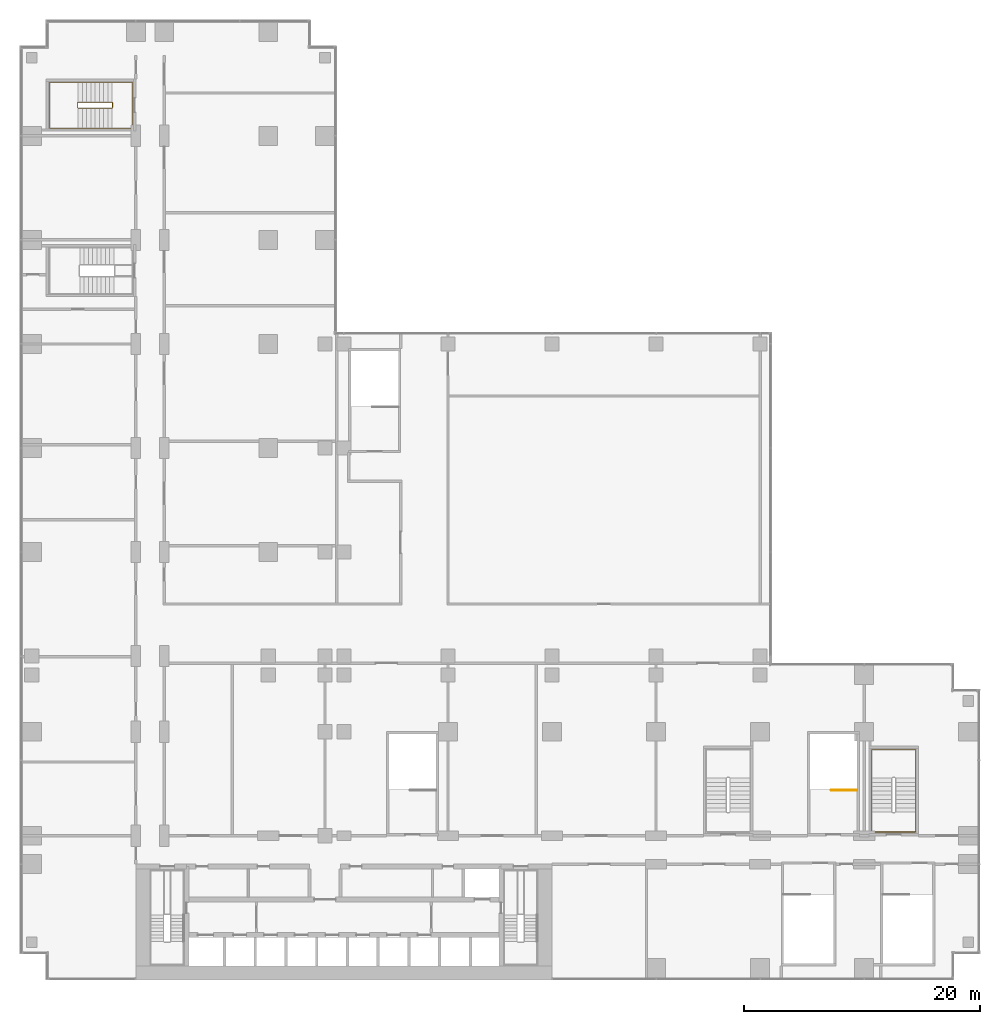
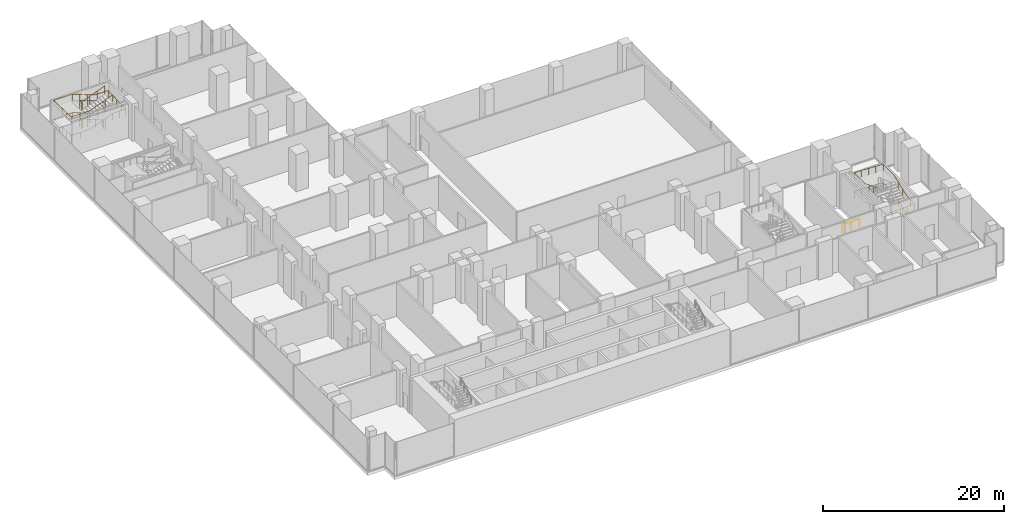
# One storey, part 27 of 27: 4 railings.
"""IFC4 building model written with IfcOpenShell, lengths in metres."""

import ifcopenshell
import ifcopenshell.guid

model = None  # the IFC model being written
_history = None  # IfcOwnerHistory: only IFC2X3 demands one
_inside = {}  # id of a spatial element -> (the spatial element, [elements in it])
_under = {}  # id of a project, library or spatial element -> (it, [spatial elements below it])
_declared = {}  # id of a project -> (the project, [libraries it declares])
_typed = {}  # id of a type object -> (the type object, [elements of that type])
_made_of = {}  # id of a material, layer set ... -> (it, [elements and type objects made of it])


def new_model(schema):
    """Start an empty IFC model of exactly this schema.

    Asked for "IFC4X3", IfcOpenShell would pick the latest addendum, in which some entities
    have other attributes; the version numbers below select the first issue.
    IFC2X3 requires an IfcOwnerHistory on every rooted entity: one is made here for all.
    """
    global model, _history
    if schema == "IFC4X3":
        model = ifcopenshell.file(schema_version=(4, 3, 0, 0))
    else:
        model = ifcopenshell.file(schema=schema)
    _inside.clear()
    _under.clear()
    _declared.clear()
    _typed.clear()
    _made_of.clear()
    _history = None
    if model.schema == "IFC2X3":
        org = make("IfcOrganization", Name="unknown")
        user = make(
            "IfcPersonAndOrganization",
            ThePerson=make("IfcPerson", FamilyName="unknown"),
            TheOrganization=org,
        )
        app = make(
            "IfcApplication",
            ApplicationDeveloper=org,
            Version="unknown",
            ApplicationFullName="unknown",
            ApplicationIdentifier="unknown",
        )
        _history = make(
            "IfcOwnerHistory",
            OwningUser=user,
            OwningApplication=app,
            ChangeAction="ADDED",
            CreationDate=0,
        )
    return model


def make(cls, **values):
    """One entity of the class cls with the attributes given. An attribute that is None is left unset."""
    return model.create_entity(
        cls, **{name: value for name, value in values.items() if value is not None}
    )


def rooted(cls, **values):
    """An entity with a GlobalId (a new one), such as an element, a storey or a relation."""
    return make(cls, GlobalId=ifcopenshell.guid.new(), OwnerHistory=_history, **values)


def si_unit(unit_type, name, prefix=None):
    """IfcSIUnit, for example si_unit("LENGTHUNIT", "METRE", prefix="MILLI")."""
    return make("IfcSIUnit", UnitType=unit_type, Prefix=prefix, Name=name)


def assignment(units):
    """IfcUnitAssignment: the units of a project."""
    return None if units is None else make("IfcUnitAssignment", Units=units)


def point(xyz):
    """IfcCartesianPoint."""
    return None if xyz is None else make("IfcCartesianPoint", Coordinates=xyz)


def direction(xyz):
    """IfcDirection."""
    return None if xyz is None else make("IfcDirection", DirectionRatios=xyz)


def frame(location, z_axis=None, x_axis=None):
    """IfcAxis2Placement3D, a coordinate frame: its origin and axes. An axis left out is left unset."""
    return make(
        "IfcAxis2Placement3D",
        Location=point(location),
        Axis=direction(z_axis),
        RefDirection=direction(x_axis),
    )


def frame_2d(location, x_axis=None):
    """IfcAxis2Placement2D, a coordinate frame in the plane: its origin and x axis."""
    return make(
        "IfcAxis2Placement2D", Location=point(location), RefDirection=direction(x_axis)
    )


def origin():
    """The frame at (0, 0, 0) with its axes left unset."""
    return frame((0.0, 0.0, 0.0))


def origin_2d():
    """The frame at (0, 0) in the plane with its x axis left unset."""
    return frame_2d((0.0, 0.0))


def place(relative_to, where):
    """IfcLocalPlacement: puts the frame where relative to a parent placement (None: the world)."""
    return make(
        "IfcLocalPlacement", PlacementRelTo=relative_to, RelativePlacement=where
    )


def context(
    kind, dimensions, precision=None, world=None, true_north=None, identifier=None
):
    """IfcGeometricRepresentationContext, for example the 3D "Model" context."""
    return make(
        "IfcGeometricRepresentationContext",
        ContextIdentifier=identifier,
        ContextType=kind,
        CoordinateSpaceDimension=dimensions,
        Precision=precision,
        WorldCoordinateSystem=world,
        TrueNorth=true_north,
    )


def subcontext(parent, identifier, kind, view, scale=None):
    """IfcGeometricRepresentationSubContext, for example "Body" below "Model"."""
    return make(
        "IfcGeometricRepresentationSubContext",
        ContextIdentifier=identifier,
        ContextType=kind,
        ParentContext=parent,
        TargetScale=scale,
        TargetView=view,
    )


def project(units=None, contexts=None):
    """IfcProject with its units and contexts."""
    return rooted(
        "IfcProject",
        Name="project",
        RepresentationContexts=contexts,
        UnitsInContext=assignment(units),
    )


def spatial(cls, under=None, at=None, **own):
    """A site, building, storey or space (cls), placed at a placement, below another one or the project."""
    s = rooted(cls, ObjectPlacement=at, **own)
    if under is not None:
        _under.setdefault(under.id(), (under, []))[1].append(s)
    return s


def profile(cls, at=None, kind="AREA", **sizes):
    """A parametric profile (cls). Its sizes go by their IFC names, for example OverallWidth=200.0."""
    return make(cls, ProfileType=kind, Position=at, **sizes)


def circle(**sizes):
    """IfcCircleProfileDef."""
    return profile("IfcCircleProfileDef", **sizes)


def extrude(swept, where, along, depth):
    """IfcExtrudedAreaSolid: the profile swept, set in the frame where, extruded along a direction by depth."""
    return make(
        "IfcExtrudedAreaSolid",
        SweptArea=swept,
        Position=where,
        ExtrudedDirection=direction(along),
        Depth=depth,
    )


def shape(context_of_items, identifier, shape_type, items):
    """IfcShapeRepresentation: the items that make up one representation, for example the "Body"."""
    return make(
        "IfcShapeRepresentation",
        ContextOfItems=context_of_items,
        RepresentationIdentifier=identifier,
        RepresentationType=shape_type,
        Items=items,
    )


def material(Name=None, Category=None):
    """IfcMaterial."""
    return make("IfcMaterial", Name=Name, Category=Category)


def made_of(thing, what):
    """Note that an element or type object is made of a material, layer set ...; save() writes the relation."""
    if what is not None:
        _made_of.setdefault(what.id(), (what, []))[1].append(thing)
    return thing


def type_object(cls, material=None, **own):
    """A type object (cls), such as IfcWallType, which elements share."""
    return made_of(rooted(cls, **own), material)


def element(
    cls,
    number,
    at=None,
    inside=None,
    cuts=None,
    type_object=None,
    material=None,
    context=None,
    identifier="Body",
    shape_type=None,
    held_by="IfcProductDefinitionShape",
    body=None,
    shapes=None,
    **own,
):
    """One element of the class cls, such as IfcWall. Its Tag is "e" and its number.

    at: its placement. inside: the storey or other place that contains it. cuts: it is an
    opening in that element (IfcRelVoidsElement). A single representation is given by context,
    identifier, shape_type and body (its items); several are given by shapes. held_by: the class
    of the entity that holds the representations. save() writes the other relations.
    """
    e = rooted(cls, Tag="e%d" % number, ObjectPlacement=at, **own)
    if body is not None:
        shapes = [shape(context, identifier, shape_type, body)]
    if shapes is not None:
        e.Representation = make(held_by, Representations=shapes)
    if inside is not None:
        _inside.setdefault(inside.id(), (inside, []))[1].append(e)
    if cuts is not None:
        rooted(
            "IfcRelVoidsElement", RelatingBuildingElement=cuts, RelatedOpeningElement=e
        )
    if type_object is not None:
        _typed.setdefault(type_object.id(), (type_object, []))[1].append(e)
    return made_of(e, material)


def aggregate(whole, parts):
    """IfcRelAggregates: a whole, such as a stair, and the parts it consists of."""
    return rooted("IfcRelAggregates", RelatingObject=whole, RelatedObjects=parts)


def save(model, path):
    """Write the relations noted so far, then the file.

    IfcRelAggregates (storeys below a building ...), IfcRelContainedInSpatialStructure (elements
    in a storey), IfcRelDefinesByType, IfcRelAssociatesMaterial and IfcRelDeclares: one each for
    every whole, place, type object, material and project.
    """
    for whole, parts in _under.values():
        aggregate(whole, parts)
    for where, things in _inside.values():
        rooted(
            "IfcRelContainedInSpatialStructure",
            RelatedElements=things,
            RelatingStructure=where,
        )
    for kind, things in _typed.values():
        rooted("IfcRelDefinesByType", RelatedObjects=things, RelatingType=kind)
    for what, things in _made_of.values():
        rooted("IfcRelAssociatesMaterial", RelatedObjects=things, RelatingMaterial=what)
    for by, libraries in _declared.values():
        rooted("IfcRelDeclares", RelatingContext=by, RelatedDefinitions=libraries)
    model.write(path)


model = new_model("IFC4")

# Units and contexts
model_context = context("Model", 3, precision=1e-05, world=origin(), true_north=direction((0.0, 1.0)))
body_context = subcontext(model_context, "Body", "Model", "MODEL_VIEW")
ifc_project = project(units=[si_unit("LENGTHUNIT", "METRE"), si_unit("AREAUNIT", "SQUARE_METRE"), si_unit("VOLUMEUNIT", "CUBIC_METRE"), si_unit("PLANEANGLEUNIT", "RADIAN"), si_unit("MASSUNIT", "GRAM", prefix="KILO")], contexts=[model_context])

# Site, building, storey
site_placement = place(None, origin())
site = spatial("IfcSite", under=ifc_project, at=site_placement, CompositionType="ELEMENT")
building_placement = place(site_placement, origin())
building = spatial("IfcBuilding", under=site, at=building_placement, Name="Kemantara Hotel Tower", CompositionType="ELEMENT")
storey_placement = place(building_placement, frame((0.0, 0.0, 29.0)))
storey = spatial("IfcBuildingStorey", under=building, at=storey_placement, Name="L05", CompositionType="ELEMENT", Elevation=29.0)

# Railings
ifc_material = material(Name="Stainless steel balustrade", Category="steel")
railing_type_1 = type_object("IfcRailingType", Name="Stair guard 1100 mm", PredefinedType="GUARDRAIL", material=ifc_material)
railing_1_placement = place(storey_placement, frame((7.800048828125, 73.75, 5.0)))
element("IfcRailing", 1, at=railing_1_placement, inside=storey, type_object=railing_type_1, Name="L05 ST6 stair guard 1", PredefinedType="GUARDRAIL", context=body_context, shape_type="SweptSolid", body=[
    extrude(circle(Radius=0.02392578125, at=origin_2d()), frame((0.0, 0.0, 1.076171875), z_axis=(-0.932982310422, 0.0, -0.359922225543), x_axis=(0.0, -1.0, 0.0)), (0.0, 0.0, 1.0), 3.0869140625),
    extrude(circle(Radius=0.02392578125, at=origin_2d()), frame((-2.880126953125, 0.0, -0.03515625), z_axis=(-0.319608697381, 0.321175406682, -0.891457592206), x_axis=(-0.708833529934, -0.705375805398, 0.0)), (0.0, 0.0, 1.0), 0.15576171875),
    extrude(circle(Radius=0.02392578125, at=origin_2d()), frame((-2.929931640625, 0.050048828125, -0.173828125), z_axis=(0.0, 1.0, 0.0), x_axis=(-1.0, 0.0, 0.0)), (0.0, 0.0, 1.0), 0.39990234375),
    extrude(circle(Radius=0.02392578125, at=origin_2d()), frame((-2.929931640625, 0.449951171875, -0.173828125), z_axis=(0.705375805398, 0.708833529934, 0.0), x_axis=(-0.708833529934, 0.705375805398, 0.0)), (0.0, 0.0, 1.0), 0.070556640625),
    extrude(circle(Radius=0.02392578125, at=origin_2d()), frame((-2.880126953125, 0.5, -0.173828125), z_axis=(0.932982310422, 0.0, -0.359922225543), x_axis=(0.0, 1.0, 0.0)), (0.0, 0.0, 1.0), 3.0869140625),
    extrude(circle(Radius=0.02392578125, at=origin_2d()), frame((0.0, 0.5, -1.28515625), z_axis=(0.105686461667, -0.950147067569, -0.293344374089), x_axis=(0.993870574751, 0.110549901152, 0.0)), (0.0, 0.0, 1.0), 0.4736328125),
    extrude(circle(Radius=0.02392578125, at=origin_2d()), frame((0.050048828125, 0.050048828125, -1.423828125), z_axis=(0.0, 1.0, 0.0), x_axis=(-1.0, 0.0, 0.0)), (0.0, 0.0, 1.0), 0.39990234375),
    extrude(circle(Radius=0.02392578125, at=origin_2d()), frame((0.050048828125, 0.449951171875, -1.423828125), z_axis=(-0.110549901152, -0.993870574751, 0.0), x_axis=(0.993870574751, -0.110549901152, 0.0)), (0.0, 0.0, 1.0), 0.45263671875),
    extrude(circle(Radius=0.02392578125, at=origin_2d()), frame((0.0, 0.0, -1.423828125), z_axis=(-0.932982310422, 0.0, -0.359922225543), x_axis=(0.0, -1.0, 0.0)), (0.0, 0.0, 1.0), 3.0869140625),
    extrude(circle(Radius=0.02392578125, at=origin_2d()), frame((-2.880126953125, 0.0, -2.53515625), z_axis=(-0.319608697381, 0.321175406682, -0.891457592206), x_axis=(-0.708833529934, -0.705375805398, 0.0)), (0.0, 0.0, 1.0), 0.15576171875),
    extrude(circle(Radius=0.02392578125, at=origin_2d()), frame((-2.929931640625, 0.050048828125, -2.673828125), z_axis=(0.0, 1.0, 0.0), x_axis=(-1.0, 0.0, 0.0)), (0.0, 0.0, 1.0), 0.39990234375),
    extrude(circle(Radius=0.02392578125, at=origin_2d()), frame((-2.929931640625, 0.449951171875, -2.673828125), z_axis=(0.705375805398, 0.708833529934, 0.0), x_axis=(-0.708833529934, 0.705375805398, 0.0)), (0.0, 0.0, 1.0), 0.070556640625),
    extrude(circle(Radius=0.02392578125, at=origin_2d()), frame((-2.880126953125, 0.5, -2.673828125), z_axis=(0.932982310422, 0.0, -0.359922225543), x_axis=(0.0, 1.0, 0.0)), (0.0, 0.0, 1.0), 3.0869140625),
    extrude(circle(Radius=0.02392578125, at=origin_2d()), frame((0.0, 0.5, -3.78515625), z_axis=(0.321014310373, -0.321014310373, -0.891010451718), x_axis=(0.707106781187, 0.707106781187, 0.0)), (0.0, 0.0, 1.0), 0.156005859375),
    extrude(circle(Radius=0.02392578125, at=origin_2d()), frame((0.050048828125, 0.449951171875, -3.923828125), z_axis=(0.0, -1.0, 0.0), x_axis=(1.0, 0.0, 0.0)), (0.0, 0.0, 1.0), 0.39990234375),
    extrude(circle(Radius=0.02099609375, at=origin_2d()), origin(), (0.0, 0.0, 1.0), 1.052001953125),
    extrude(circle(Radius=0.02099609375, at=origin_2d()), frame((-0.9599609375, 0.0, -0.370361328125)), (0.0, 0.0, 1.0), 1.052001953125),
    extrude(circle(Radius=0.02099609375, at=origin_2d()), frame((-1.920166015625, 0.0, -0.74072265625)), (0.0, 0.0, 1.0), 1.052001953125),
    extrude(circle(Radius=0.02099609375, at=origin_2d()), frame((-2.880126953125, 0.0, -1.111083984375)), (0.0, 0.0, 1.0), 1.052001953125),
    extrude(circle(Radius=0.02099609375, at=origin_2d()), frame((-2.929931640625, 0.050048828125, -1.25)), (0.0, 0.0, 1.0), 1.052001953125),
    extrude(circle(Radius=0.02099609375, at=origin_2d()), frame((-2.929931640625, 0.449951171875, -1.25)), (0.0, 0.0, 1.0), 1.052001953125),
    extrude(circle(Radius=0.02099609375, at=origin_2d()), frame((-2.880126953125, 0.5, -1.25)), (0.0, 0.0, 1.0), 1.052001953125),
    extrude(circle(Radius=0.02099609375, at=origin_2d()), frame((-1.920166015625, 0.5, -1.620361328125)), (0.0, 0.0, 1.0), 1.052001953125),
    extrude(circle(Radius=0.02099609375, at=origin_2d()), frame((-0.9599609375, 0.5, -1.99072265625)), (0.0, 0.0, 1.0), 1.052001953125),
    extrude(circle(Radius=0.02099609375, at=origin_2d()), frame((0.0, 0.5, -2.361083984375)), (0.0, 0.0, 1.0), 1.052001953125),
    extrude(circle(Radius=0.02099609375, at=origin_2d()), frame((0.050048828125, 0.050048828125, -2.5)), (0.0, 0.0, 1.0), 1.052001953125),
    extrude(circle(Radius=0.02099609375, at=origin_2d()), frame((0.050048828125, 0.449951171875, -2.5)), (0.0, 0.0, 1.0), 1.052001953125),
    extrude(circle(Radius=0.02099609375, at=origin_2d()), frame((0.0, 0.0, -2.5)), (0.0, 0.0, 1.0), 1.052001953125),
    extrude(circle(Radius=0.02099609375, at=origin_2d()), frame((-0.9599609375, 0.0, -2.870361328125)), (0.0, 0.0, 1.0), 1.052001953125),
    extrude(circle(Radius=0.02099609375, at=origin_2d()), frame((-1.920166015625, 0.0, -3.24072265625)), (0.0, 0.0, 1.0), 1.052001953125),
    extrude(circle(Radius=0.02099609375, at=origin_2d()), frame((-2.880126953125, 0.0, -3.611083984375)), (0.0, 0.0, 1.0), 1.052001953125),
    extrude(circle(Radius=0.02099609375, at=origin_2d()), frame((-2.929931640625, 0.050048828125, -3.75)), (0.0, 0.0, 1.0), 1.052001953125),
    extrude(circle(Radius=0.02099609375, at=origin_2d()), frame((-2.929931640625, 0.449951171875, -3.75)), (0.0, 0.0, 1.0), 1.052001953125),
    extrude(circle(Radius=0.02099609375, at=origin_2d()), frame((-2.880126953125, 0.5, -3.75)), (0.0, 0.0, 1.0), 1.052001953125),
    extrude(circle(Radius=0.02099609375, at=origin_2d()), frame((-1.920166015625, 0.5, -4.120361328125)), (0.0, 0.0, 1.0), 1.052001953125),
    extrude(circle(Radius=0.02099609375, at=origin_2d()), frame((-0.9599609375, 0.5, -4.49072265625)), (0.0, 0.0, 1.0), 1.052001953125),
    extrude(circle(Radius=0.02099609375, at=origin_2d()), frame((0.0, 0.5, -4.861083984375)), (0.0, 0.0, 1.0), 1.052001953125),
    extrude(circle(Radius=0.02099609375, at=origin_2d()), frame((0.050048828125, 0.449951171875, -5.0)), (0.0, 0.0, 1.0), 1.052001953125),
    extrude(circle(Radius=0.02099609375, at=origin_2d()), frame((0.050048828125, 0.050048828125, -5.0)), (0.0, 0.0, 1.0), 1.052001953125),
])
railing_2_placement = place(storey_placement, frame((70.800048828125, 16.050048828125, 0.0)))
element("IfcRailing", 2, at=railing_2_placement, inside=storey, type_object=railing_type_1, Name="L05 PS1 top well guard 1", PredefinedType="GUARDRAIL", context=body_context, shape_type="SweptSolid", body=[
    extrude(circle(Radius=0.02392578125, at=origin_2d()), frame((0.0, 0.0, 1.076171875), z_axis=(-1.0, 0.0, 0.0), x_axis=(0.0, -1.0, 0.0)), (0.0, 0.0, 1.0), 2.199951171875),
    extrude(circle(Radius=0.02099609375, at=origin_2d()), origin(), (0.0, 0.0, 1.0), 1.052001953125),
    extrude(circle(Radius=0.02099609375, at=origin_2d()), frame((-1.10009765625, 0.0, 0.0)), (0.0, 0.0, 1.0), 1.052001953125),
    extrude(circle(Radius=0.02099609375, at=origin_2d()), frame((-2.199951171875, 0.0, 0.0)), (0.0, 0.0, 1.0), 1.052001953125),
])
railing_type_2 = type_object("IfcRailingType", Name="Stair handrail 900 mm", PredefinedType="HANDRAIL", material=ifc_material)
railing_3_placement = place(storey_placement, frame((75.75, 14.199951171875, 0.138916015625)))
element("IfcRailing", 3, at=railing_3_placement, inside=storey, type_object=railing_type_2, Name="L05 ST5 stair handrail 1", PredefinedType="HANDRAIL", context=body_context, shape_type="SweptSolid", body=[
    extrude(circle(Radius=0.02392578125, at=origin_2d()), frame((0.0, 0.0, 0.8759765625), z_axis=(0.0, 0.932982310422, 0.359922225543), x_axis=(-1.0, 0.0, 0.0)), (0.0, 0.0, 1.0), 3.0869140625),
    extrude(circle(Radius=0.02392578125, at=origin_2d()), frame((0.0, 2.880126953125, 1.98681640625), z_axis=(0.0, 1.0, 0.0), x_axis=(-1.0, 0.0, 0.0)), (0.0, 0.0, 1.0), 2.39990234375),
    extrude(circle(Radius=0.02392578125, at=origin_2d()), frame((0.0, 5.280029296875, 1.98681640625), z_axis=(-0.999295917098, 0.0, 0.037518929517), x_axis=(0.0, -1.0, 0.0)), (0.0, 0.0, 1.0), 3.70263671875),
    extrude(circle(Radius=0.02392578125, at=origin_2d()), frame((-3.699951171875, 5.280029296875, 2.1259765625), z_axis=(0.0, -1.0, 0.0), x_axis=(1.0, 0.0, 0.0)), (0.0, 0.0, 1.0), 2.39990234375),
    extrude(circle(Radius=0.02392578125, at=origin_2d()), frame((-3.699951171875, 2.880126953125, 2.1259765625), z_axis=(0.0, -0.932982310422, 0.359922225543), x_axis=(1.0, 0.0, 0.0)), (0.0, 0.0, 1.0), 3.0869140625),
    extrude(circle(Radius=0.02392578125, at=origin_2d()), frame((-3.699951171875, 0.0, 3.23681640625), z_axis=(0.0, -1.0, 0.0), x_axis=(1.0, 0.0, 0.0)), (0.0, 0.0, 1.0), 1.679931640625),
    extrude(circle(Radius=0.02392578125, at=origin_2d()), frame((-3.699951171875, -1.679931640625, 3.23681640625), z_axis=(0.999295917098, 0.0, 0.037518929517), x_axis=(0.0, 1.0, 0.0)), (0.0, 0.0, 1.0), 3.70263671875),
    extrude(circle(Radius=0.02392578125, at=origin_2d()), frame((0.0, -1.679931640625, 3.3759765625), z_axis=(0.0, 1.0, 0.0), x_axis=(-1.0, 0.0, 0.0)), (0.0, 0.0, 1.0), 1.679931640625),
    extrude(circle(Radius=0.02392578125, at=origin_2d()), frame((0.0, 0.0, 3.3759765625), z_axis=(0.0, 0.932982310422, 0.359922225543), x_axis=(-1.0, 0.0, 0.0)), (0.0, 0.0, 1.0), 3.0869140625),
    extrude(circle(Radius=0.02392578125, at=origin_2d()), frame((0.0, 2.880126953125, 4.48681640625), z_axis=(0.0, 1.0, 0.0), x_axis=(-1.0, 0.0, 0.0)), (0.0, 0.0, 1.0), 2.39990234375),
    extrude(circle(Radius=0.02392578125, at=origin_2d()), frame((0.0, 5.280029296875, 4.48681640625), z_axis=(-0.999295917098, 0.0, 0.037518929517), x_axis=(0.0, -1.0, 0.0)), (0.0, 0.0, 1.0), 3.70263671875),
    extrude(circle(Radius=0.02392578125, at=origin_2d()), frame((-3.699951171875, 5.280029296875, 4.6259765625), z_axis=(0.0, -1.0, 0.0), x_axis=(1.0, 0.0, 0.0)), (0.0, 0.0, 1.0), 2.39990234375),
    extrude(circle(Radius=0.02392578125, at=origin_2d()), frame((-3.699951171875, 2.880126953125, 4.6259765625), z_axis=(0.0, -0.932982310422, 0.359922225543), x_axis=(1.0, 0.0, 0.0)), (0.0, 0.0, 1.0), 3.0869140625),
    extrude(circle(Radius=0.02099609375, at=origin_2d()), origin(), (0.0, 0.0, 1.0), 0.851806640625),
    extrude(circle(Radius=0.02099609375, at=origin_2d()), frame((0.0, 0.9599609375, 0.370361328125)), (0.0, 0.0, 1.0), 0.851806640625),
    extrude(circle(Radius=0.02099609375, at=origin_2d()), frame((0.0, 1.920166015625, 0.74072265625)), (0.0, 0.0, 1.0), 0.851806640625),
    extrude(circle(Radius=0.02099609375, at=origin_2d()), frame((0.0, 2.880126953125, 1.111083984375)), (0.0, 0.0, 1.0), 0.851806640625),
    extrude(circle(Radius=0.02099609375, at=origin_2d()), frame((0.0, 4.080078125, 1.111083984375)), (0.0, 0.0, 1.0), 0.851806640625),
    extrude(circle(Radius=0.02099609375, at=origin_2d()), frame((0.0, 5.280029296875, 1.111083984375)), (0.0, 0.0, 1.0), 0.851806640625),
    extrude(circle(Radius=0.02099609375, at=origin_2d()), frame((-0.925048828125, 5.280029296875, 1.145751953125)), (0.0, 0.0, 1.0), 0.851806640625),
    extrude(circle(Radius=0.02099609375, at=origin_2d()), frame((-1.85009765625, 5.280029296875, 1.1806640625)), (0.0, 0.0, 1.0), 0.851806640625),
    extrude(circle(Radius=0.02099609375, at=origin_2d()), frame((-2.77490234375, 5.280029296875, 1.21533203125)), (0.0, 0.0, 1.0), 0.851806640625),
    extrude(circle(Radius=0.02099609375, at=origin_2d()), frame((-3.699951171875, 5.280029296875, 1.25)), (0.0, 0.0, 1.0), 0.851806640625),
    extrude(circle(Radius=0.02099609375, at=origin_2d()), frame((-3.699951171875, 4.080078125, 1.25)), (0.0, 0.0, 1.0), 0.851806640625),
    extrude(circle(Radius=0.02099609375, at=origin_2d()), frame((-3.699951171875, 2.880126953125, 1.25)), (0.0, 0.0, 1.0), 0.851806640625),
    extrude(circle(Radius=0.02099609375, at=origin_2d()), frame((-3.699951171875, 1.920166015625, 1.620361328125)), (0.0, 0.0, 1.0), 0.851806640625),
    extrude(circle(Radius=0.02099609375, at=origin_2d()), frame((-3.699951171875, 0.9599609375, 1.99072265625)), (0.0, 0.0, 1.0), 0.851806640625),
    extrude(circle(Radius=0.02099609375, at=origin_2d()), frame((-3.699951171875, 0.0, 2.361083984375)), (0.0, 0.0, 1.0), 0.851806640625),
    extrude(circle(Radius=0.02099609375, at=origin_2d()), frame((-3.699951171875, -0.83984375, 2.361083984375)), (0.0, 0.0, 1.0), 0.851806640625),
    extrude(circle(Radius=0.02099609375, at=origin_2d()), frame((-3.699951171875, -1.679931640625, 2.361083984375)), (0.0, 0.0, 1.0), 0.851806640625),
    extrude(circle(Radius=0.02099609375, at=origin_2d()), frame((-2.77490234375, -1.679931640625, 2.395751953125)), (0.0, 0.0, 1.0), 0.851806640625),
    extrude(circle(Radius=0.02099609375, at=origin_2d()), frame((-1.85009765625, -1.679931640625, 2.4306640625)), (0.0, 0.0, 1.0), 0.851806640625),
    extrude(circle(Radius=0.02099609375, at=origin_2d()), frame((-0.925048828125, -1.679931640625, 2.46533203125)), (0.0, 0.0, 1.0), 0.851806640625),
    extrude(circle(Radius=0.02099609375, at=origin_2d()), frame((0.0, -1.679931640625, 2.5)), (0.0, 0.0, 1.0), 0.851806640625),
    extrude(circle(Radius=0.02099609375, at=origin_2d()), frame((0.0, -0.83984375, 2.5)), (0.0, 0.0, 1.0), 0.851806640625),
    extrude(circle(Radius=0.02099609375, at=origin_2d()), frame((0.0, 0.0, 2.5)), (0.0, 0.0, 1.0), 0.851806640625),
    extrude(circle(Radius=0.02099609375, at=origin_2d()), frame((0.0, 0.9599609375, 2.870361328125)), (0.0, 0.0, 1.0), 0.851806640625),
    extrude(circle(Radius=0.02099609375, at=origin_2d()), frame((0.0, 1.920166015625, 3.24072265625)), (0.0, 0.0, 1.0), 0.851806640625),
    extrude(circle(Radius=0.02099609375, at=origin_2d()), frame((0.0, 2.880126953125, 3.611083984375)), (0.0, 0.0, 1.0), 0.851806640625),
    extrude(circle(Radius=0.02099609375, at=origin_2d()), frame((0.0, 4.080078125, 3.611083984375)), (0.0, 0.0, 1.0), 0.851806640625),
    extrude(circle(Radius=0.02099609375, at=origin_2d()), frame((0.0, 5.280029296875, 3.611083984375)), (0.0, 0.0, 1.0), 0.851806640625),
    extrude(circle(Radius=0.02099609375, at=origin_2d()), frame((-0.925048828125, 5.280029296875, 3.645751953125)), (0.0, 0.0, 1.0), 0.851806640625),
    extrude(circle(Radius=0.02099609375, at=origin_2d()), frame((-1.85009765625, 5.280029296875, 3.6806640625)), (0.0, 0.0, 1.0), 0.851806640625),
    extrude(circle(Radius=0.02099609375, at=origin_2d()), frame((-2.77490234375, 5.280029296875, 3.71533203125)), (0.0, 0.0, 1.0), 0.851806640625),
    extrude(circle(Radius=0.02099609375, at=origin_2d()), frame((-3.699951171875, 5.280029296875, 3.75)), (0.0, 0.0, 1.0), 0.851806640625),
    extrude(circle(Radius=0.02099609375, at=origin_2d()), frame((-3.699951171875, 4.080078125, 3.75)), (0.0, 0.0, 1.0), 0.851806640625),
    extrude(circle(Radius=0.02099609375, at=origin_2d()), frame((-3.699951171875, 2.880126953125, 3.75)), (0.0, 0.0, 1.0), 0.851806640625),
    extrude(circle(Radius=0.02099609375, at=origin_2d()), frame((-3.699951171875, 1.920166015625, 4.120361328125)), (0.0, 0.0, 1.0), 0.851806640625),
    extrude(circle(Radius=0.02099609375, at=origin_2d()), frame((-3.699951171875, 0.9599609375, 4.49072265625)), (0.0, 0.0, 1.0), 0.851806640625),
    extrude(circle(Radius=0.02099609375, at=origin_2d()), frame((-3.699951171875, 0.0, 4.861083984375)), (0.0, 0.0, 1.0), 0.851806640625),
])
railing_4_placement = place(storey_placement, frame((7.800048828125, 75.949951171875, 0.138916015625)))
element("IfcRailing", 4, at=railing_4_placement, inside=storey, type_object=railing_type_2, Name="L05 ST6 stair handrail 1", PredefinedType="HANDRAIL", context=body_context, shape_type="SweptSolid", body=[
    extrude(circle(Radius=0.02392578125, at=origin_2d()), frame((0.0, 0.0, 0.8759765625), z_axis=(-0.932982310422, 0.0, 0.359922225543), x_axis=(0.0, -1.0, 0.0)), (0.0, 0.0, 1.0), 3.0869140625),
    extrude(circle(Radius=0.02392578125, at=origin_2d()), frame((-2.880126953125, 0.0, 1.98681640625), z_axis=(-1.0, 0.0, 0.0), x_axis=(0.0, -1.0, 0.0)), (0.0, 0.0, 1.0), 2.39990234375),
    extrude(circle(Radius=0.02392578125, at=origin_2d()), frame((-5.280029296875, 0.0, 1.98681640625), z_axis=(0.0, -0.999366197222, 0.035597806825), x_axis=(1.0, 0.0, 0.0)), (0.0, 0.0, 1.0), 3.90234375),
    extrude(circle(Radius=0.02392578125, at=origin_2d()), frame((-5.280029296875, -3.89990234375, 2.1259765625), z_axis=(1.0, 0.0, 0.0), x_axis=(0.0, 1.0, 0.0)), (0.0, 0.0, 1.0), 2.39990234375),
    extrude(circle(Radius=0.02392578125, at=origin_2d()), frame((-2.880126953125, -3.89990234375, 2.1259765625), z_axis=(0.932982310422, 0.0, 0.359922225543), x_axis=(0.0, 1.0, 0.0)), (0.0, 0.0, 1.0), 3.0869140625),
    extrude(circle(Radius=0.02392578125, at=origin_2d()), frame((0.0, -3.89990234375, 3.23681640625), z_axis=(1.0, 0.0, 0.0), x_axis=(0.0, 1.0, 0.0)), (0.0, 0.0, 1.0), 1.679931640625),
    extrude(circle(Radius=0.02392578125, at=origin_2d()), frame((1.679931640625, -3.89990234375, 3.23681640625), z_axis=(0.0, 0.999366197222, 0.035597806825), x_axis=(-1.0, 0.0, 0.0)), (0.0, 0.0, 1.0), 3.90234375),
    extrude(circle(Radius=0.02392578125, at=origin_2d()), frame((1.679931640625, 0.0, 3.3759765625), z_axis=(-1.0, 0.0, 0.0), x_axis=(0.0, -1.0, 0.0)), (0.0, 0.0, 1.0), 1.679931640625),
    extrude(circle(Radius=0.02392578125, at=origin_2d()), frame((0.0, 0.0, 3.3759765625), z_axis=(-0.932982310422, 0.0, 0.359922225543), x_axis=(0.0, -1.0, 0.0)), (0.0, 0.0, 1.0), 3.0869140625),
    extrude(circle(Radius=0.02392578125, at=origin_2d()), frame((-2.880126953125, 0.0, 4.48681640625), z_axis=(-1.0, 0.0, 0.0), x_axis=(0.0, -1.0, 0.0)), (0.0, 0.0, 1.0), 2.39990234375),
    extrude(circle(Radius=0.02392578125, at=origin_2d()), frame((-5.280029296875, 0.0, 4.48681640625), z_axis=(0.0, -0.999366197222, 0.035597806825), x_axis=(1.0, 0.0, 0.0)), (0.0, 0.0, 1.0), 3.90234375),
    extrude(circle(Radius=0.02392578125, at=origin_2d()), frame((-5.280029296875, -3.89990234375, 4.6259765625), z_axis=(1.0, 0.0, 0.0), x_axis=(0.0, 1.0, 0.0)), (0.0, 0.0, 1.0), 2.39990234375),
    extrude(circle(Radius=0.02392578125, at=origin_2d()), frame((-2.880126953125, -3.89990234375, 4.6259765625), z_axis=(0.932982310422, 0.0, 0.359922225543), x_axis=(0.0, 1.0, 0.0)), (0.0, 0.0, 1.0), 3.0869140625),
    extrude(circle(Radius=0.02099609375, at=origin_2d()), origin(), (0.0, 0.0, 1.0), 0.851806640625),
    extrude(circle(Radius=0.02099609375, at=origin_2d()), frame((-0.9599609375, 0.0, 0.370361328125)), (0.0, 0.0, 1.0), 0.851806640625),
    extrude(circle(Radius=0.02099609375, at=origin_2d()), frame((-1.920166015625, 0.0, 0.74072265625)), (0.0, 0.0, 1.0), 0.851806640625),
    extrude(circle(Radius=0.02099609375, at=origin_2d()), frame((-2.880126953125, 0.0, 1.111083984375)), (0.0, 0.0, 1.0), 0.851806640625),
    extrude(circle(Radius=0.02099609375, at=origin_2d()), frame((-4.080078125, 0.0, 1.111083984375)), (0.0, 0.0, 1.0), 0.851806640625),
    extrude(circle(Radius=0.02099609375, at=origin_2d()), frame((-5.280029296875, 0.0, 1.111083984375)), (0.0, 0.0, 1.0), 0.851806640625),
    extrude(circle(Radius=0.02099609375, at=origin_2d()), frame((-5.280029296875, -0.97509765625, 1.145751953125)), (0.0, 0.0, 1.0), 0.851806640625),
    extrude(circle(Radius=0.02099609375, at=origin_2d()), frame((-5.280029296875, -1.949951171875, 1.1806640625)), (0.0, 0.0, 1.0), 0.851806640625),
    extrude(circle(Radius=0.02099609375, at=origin_2d()), frame((-5.280029296875, -2.9248046875, 1.21533203125)), (0.0, 0.0, 1.0), 0.851806640625),
    extrude(circle(Radius=0.02099609375, at=origin_2d()), frame((-5.280029296875, -3.89990234375, 1.25)), (0.0, 0.0, 1.0), 0.851806640625),
    extrude(circle(Radius=0.02099609375, at=origin_2d()), frame((-4.080078125, -3.89990234375, 1.25)), (0.0, 0.0, 1.0), 0.851806640625),
    extrude(circle(Radius=0.02099609375, at=origin_2d()), frame((-2.880126953125, -3.89990234375, 1.25)), (0.0, 0.0, 1.0), 0.851806640625),
    extrude(circle(Radius=0.02099609375, at=origin_2d()), frame((-1.920166015625, -3.89990234375, 1.620361328125)), (0.0, 0.0, 1.0), 0.851806640625),
    extrude(circle(Radius=0.02099609375, at=origin_2d()), frame((-0.9599609375, -3.89990234375, 1.99072265625)), (0.0, 0.0, 1.0), 0.851806640625),
    extrude(circle(Radius=0.02099609375, at=origin_2d()), frame((0.0, -3.89990234375, 2.361083984375)), (0.0, 0.0, 1.0), 0.851806640625),
    extrude(circle(Radius=0.02099609375, at=origin_2d()), frame((0.83984375, -3.89990234375, 2.361083984375)), (0.0, 0.0, 1.0), 0.851806640625),
    extrude(circle(Radius=0.02099609375, at=origin_2d()), frame((1.679931640625, -3.89990234375, 2.361083984375)), (0.0, 0.0, 1.0), 0.851806640625),
    extrude(circle(Radius=0.02099609375, at=origin_2d()), frame((1.679931640625, -2.9248046875, 2.395751953125)), (0.0, 0.0, 1.0), 0.851806640625),
    extrude(circle(Radius=0.02099609375, at=origin_2d()), frame((1.679931640625, -1.949951171875, 2.4306640625)), (0.0, 0.0, 1.0), 0.851806640625),
    extrude(circle(Radius=0.02099609375, at=origin_2d()), frame((1.679931640625, -0.97509765625, 2.46533203125)), (0.0, 0.0, 1.0), 0.851806640625),
    extrude(circle(Radius=0.02099609375, at=origin_2d()), frame((1.679931640625, 0.0, 2.5)), (0.0, 0.0, 1.0), 0.851806640625),
    extrude(circle(Radius=0.02099609375, at=origin_2d()), frame((0.83984375, 0.0, 2.5)), (0.0, 0.0, 1.0), 0.851806640625),
    extrude(circle(Radius=0.02099609375, at=origin_2d()), frame((0.0, 0.0, 2.5)), (0.0, 0.0, 1.0), 0.851806640625),
    extrude(circle(Radius=0.02099609375, at=origin_2d()), frame((-0.9599609375, 0.0, 2.870361328125)), (0.0, 0.0, 1.0), 0.851806640625),
    extrude(circle(Radius=0.02099609375, at=origin_2d()), frame((-1.920166015625, 0.0, 3.24072265625)), (0.0, 0.0, 1.0), 0.851806640625),
    extrude(circle(Radius=0.02099609375, at=origin_2d()), frame((-2.880126953125, 0.0, 3.611083984375)), (0.0, 0.0, 1.0), 0.851806640625),
    extrude(circle(Radius=0.02099609375, at=origin_2d()), frame((-4.080078125, 0.0, 3.611083984375)), (0.0, 0.0, 1.0), 0.851806640625),
    extrude(circle(Radius=0.02099609375, at=origin_2d()), frame((-5.280029296875, 0.0, 3.611083984375)), (0.0, 0.0, 1.0), 0.851806640625),
    extrude(circle(Radius=0.02099609375, at=origin_2d()), frame((-5.280029296875, -0.97509765625, 3.645751953125)), (0.0, 0.0, 1.0), 0.851806640625),
    extrude(circle(Radius=0.02099609375, at=origin_2d()), frame((-5.280029296875, -1.949951171875, 3.6806640625)), (0.0, 0.0, 1.0), 0.851806640625),
    extrude(circle(Radius=0.02099609375, at=origin_2d()), frame((-5.280029296875, -2.9248046875, 3.71533203125)), (0.0, 0.0, 1.0), 0.851806640625),
    extrude(circle(Radius=0.02099609375, at=origin_2d()), frame((-5.280029296875, -3.89990234375, 3.75)), (0.0, 0.0, 1.0), 0.851806640625),
    extrude(circle(Radius=0.02099609375, at=origin_2d()), frame((-4.080078125, -3.89990234375, 3.75)), (0.0, 0.0, 1.0), 0.851806640625),
    extrude(circle(Radius=0.02099609375, at=origin_2d()), frame((-2.880126953125, -3.89990234375, 3.75)), (0.0, 0.0, 1.0), 0.851806640625),
    extrude(circle(Radius=0.02099609375, at=origin_2d()), frame((-1.920166015625, -3.89990234375, 4.120361328125)), (0.0, 0.0, 1.0), 0.851806640625),
    extrude(circle(Radius=0.02099609375, at=origin_2d()), frame((-0.9599609375, -3.89990234375, 4.49072265625)), (0.0, 0.0, 1.0), 0.851806640625),
    extrude(circle(Radius=0.02099609375, at=origin_2d()), frame((0.0, -3.89990234375, 4.861083984375)), (0.0, 0.0, 1.0), 0.851806640625),
])

save(model, "model.ifc")
